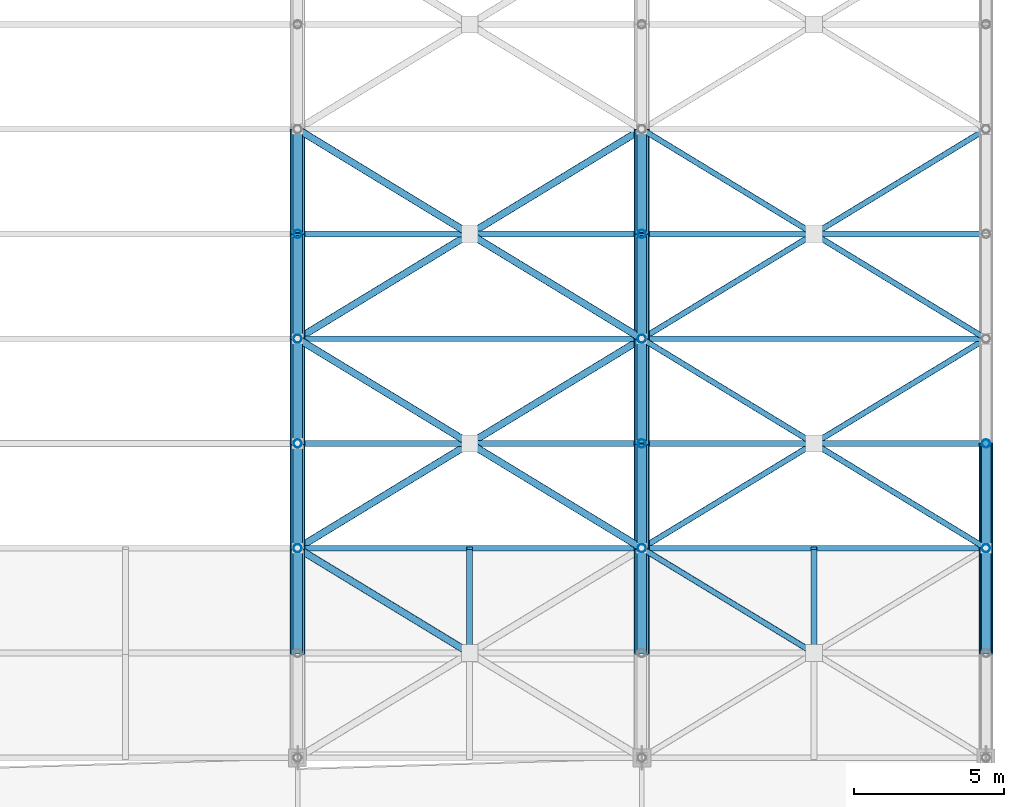
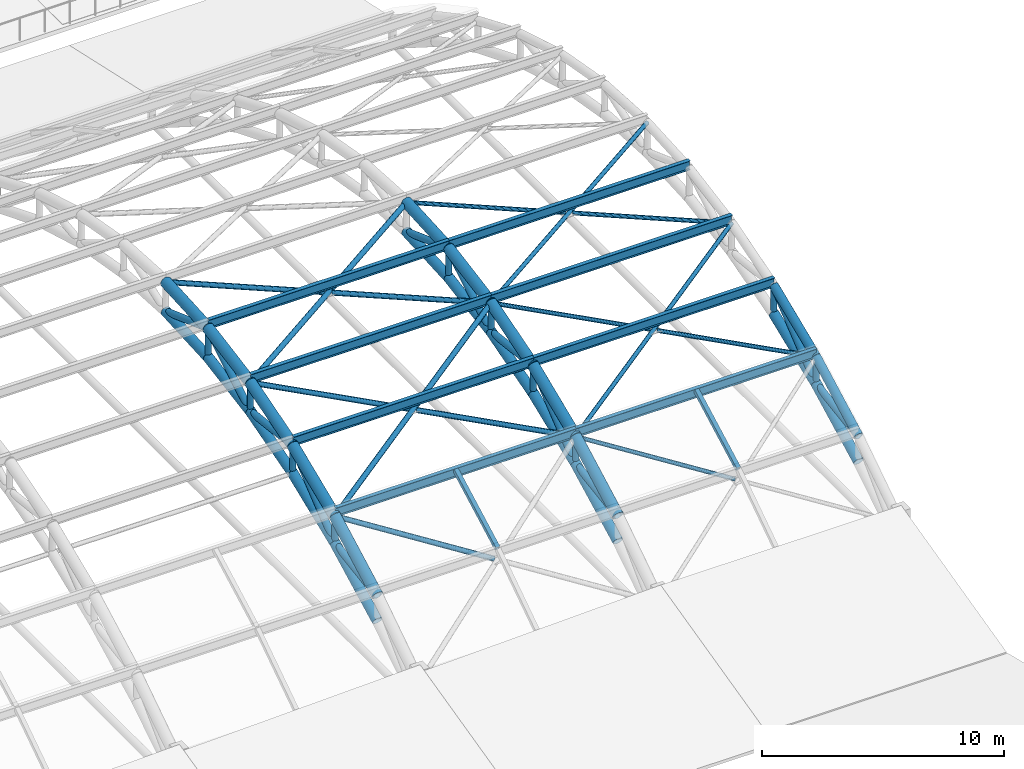
# One storey, part 103 of 154: 70 members.
"""IFC4 building model written with IfcOpenShell, lengths in metres."""

from ifc_helpers import new_model, si_unit, direction, frame, origin, origin_2d, place, context, subcontext, project, spatial, hollow_rectangle, hollow_circle, i_section, extrude, material, material_profile, profile_set, type_object, element, save


model = new_model("IFC4")

# Units and contexts
model_context = context("Model", 3, precision=1e-05, world=origin(), true_north=direction((0.0, 1.0)))
body_context = subcontext(model_context, "Body", "Model", "MODEL_VIEW")
ifc_project = project(units=[si_unit("LENGTHUNIT", "METRE"), si_unit("AREAUNIT", "SQUARE_METRE"), si_unit("VOLUMEUNIT", "CUBIC_METRE"), si_unit("PLANEANGLEUNIT", "RADIAN"), si_unit("MASSUNIT", "GRAM", prefix="KILO")], contexts=[model_context])

# Site, building, storey
site_placement = place(None, origin())
site = spatial("IfcSite", under=ifc_project, at=site_placement, CompositionType="ELEMENT")
building_placement = place(site_placement, origin())
building = spatial("IfcBuilding", under=site, at=building_placement, Name="Ologun Quay Terminus", CompositionType="ELEMENT")
storey_placement = place(building_placement, frame((0.0, 0.0, 13.800048828125)))
storey = spatial("IfcBuildingStorey", under=building, at=storey_placement, Name="L03", CompositionType="ELEMENT", Elevation=13.800048828125)

# Members
ifc_material_1 = material(Name="Steel S355", Category="steel")
ifc_material_profile_1 = material_profile(ifc_material_1, hollow_circle(Radius=0.136474609375, WallThickness=0.010009765625, at=origin_2d()), Name="CHS 273x10")
ifc_profile_set_1 = profile_set([ifc_material_profile_1], Name="Steel S355")
member_type_1 = type_object("IfcMemberType", Name="Arch Truss Vertical Post CHS273", PredefinedType="STRUT", material=ifc_profile_set_1)
member_1_placement = place(storey_placement, frame((161.0, 43.0, 4.022216796875), z_axis=(0.0, 0.0, 1.0), x_axis=(1.0, 0.0, 0.0)))
element("IfcMember", 1, at=member_1_placement, inside=storey, type_object=member_type_1, Name="AW2 Arch Web Post 15-N2", PredefinedType="STRUT", context=body_context, shape_type="SweptSolid", body=[
    extrude(hollow_circle(Radius=0.136474609375, WallThickness=0.010009765625, at=origin_2d()), origin(), (0.0, 0.0, 1.0), 1.35546875),
])
member_2_placement = place(storey_placement, frame((161.0, 46.5, 5.429931640625), z_axis=(0.0, 0.0, 1.0), x_axis=(1.0, 0.0, 0.0)))
element("IfcMember", 2, at=member_2_placement, inside=storey, type_object=member_type_1, Name="AW2 Arch Web Post 15-N3", PredefinedType="STRUT", context=body_context, shape_type="SweptSolid", body=[
    extrude(hollow_circle(Radius=0.136474609375, WallThickness=0.010009765625, at=origin_2d()), origin(), (0.0, 0.0, 1.0), 1.409912109375),
])
member_3_placement = place(storey_placement, frame((161.0, 50.0, 6.435546875), z_axis=(0.0, 0.0, 1.0), x_axis=(1.0, 0.0, 0.0)))
element("IfcMember", 3, at=member_3_placement, inside=storey, type_object=member_type_1, Name="AW2 Arch Web Post 15-N4", PredefinedType="STRUT", context=body_context, shape_type="SweptSolid", body=[
    extrude(hollow_circle(Radius=0.136474609375, WallThickness=0.010009765625, at=origin_2d()), origin(), (0.0, 0.0, 1.0), 1.44873046875),
])
member_4_placement = place(storey_placement, frame((161.0, 53.5, 7.038818359375), z_axis=(0.0, 0.0, 1.0), x_axis=(1.0, 0.0, 0.0)))
element("IfcMember", 4, at=member_4_placement, inside=storey, type_object=member_type_1, Name="AW2 Arch Web Post 15-N5", PredefinedType="STRUT", context=body_context, shape_type="SweptSolid", body=[
    extrude(hollow_circle(Radius=0.136474609375, WallThickness=0.010009765625, at=origin_2d()), origin(), (0.0, 0.0, 1.0), 1.47216796875),
])
member_5_placement = place(storey_placement, frame((172.5, 43.0, 4.022216796875), z_axis=(0.0, 0.0, 1.0), x_axis=(1.0, 0.0, 0.0)))
element("IfcMember", 5, at=member_5_placement, inside=storey, type_object=member_type_1, Name="AW2 Arch Web Post 16-N2", PredefinedType="STRUT", context=body_context, shape_type="SweptSolid", body=[
    extrude(hollow_circle(Radius=0.136474609375, WallThickness=0.010009765625, at=origin_2d()), origin(), (0.0, 0.0, 1.0), 1.35546875),
])
member_6_placement = place(storey_placement, frame((172.5, 46.5, 5.429931640625), z_axis=(0.0, 0.0, 1.0), x_axis=(1.0, 0.0, 0.0)))
element("IfcMember", 6, at=member_6_placement, inside=storey, type_object=member_type_1, Name="AW2 Arch Web Post 16-N3", PredefinedType="STRUT", context=body_context, shape_type="SweptSolid", body=[
    extrude(hollow_circle(Radius=0.136474609375, WallThickness=0.010009765625, at=origin_2d()), origin(), (0.0, 0.0, 1.0), 1.409912109375),
])
member_7_placement = place(storey_placement, frame((172.5, 50.0, 6.435546875), z_axis=(0.0, 0.0, 1.0), x_axis=(1.0, 0.0, 0.0)))
element("IfcMember", 7, at=member_7_placement, inside=storey, type_object=member_type_1, Name="AW2 Arch Web Post 16-N4", PredefinedType="STRUT", context=body_context, shape_type="SweptSolid", body=[
    extrude(hollow_circle(Radius=0.136474609375, WallThickness=0.010009765625, at=origin_2d()), origin(), (0.0, 0.0, 1.0), 1.44873046875),
])
member_8_placement = place(storey_placement, frame((172.5, 53.5, 7.038818359375), z_axis=(0.0, 0.0, 1.0), x_axis=(1.0, 0.0, 0.0)))
element("IfcMember", 8, at=member_8_placement, inside=storey, type_object=member_type_1, Name="AW2 Arch Web Post 16-N5", PredefinedType="STRUT", context=body_context, shape_type="SweptSolid", body=[
    extrude(hollow_circle(Radius=0.136474609375, WallThickness=0.010009765625, at=origin_2d()), origin(), (0.0, 0.0, 1.0), 1.47216796875),
])
member_9_placement = place(storey_placement, frame((184.0, 43.0, 4.022216796875), z_axis=(0.0, 0.0, 1.0), x_axis=(1.0, 0.0, 0.0)))
element("IfcMember", 9, at=member_9_placement, inside=storey, type_object=member_type_1, Name="AW2 Arch Web Post 17-N2", PredefinedType="STRUT", context=body_context, shape_type="SweptSolid", body=[
    extrude(hollow_circle(Radius=0.136474609375, WallThickness=0.010009765625, at=origin_2d()), origin(), (0.0, 0.0, 1.0), 1.35546875),
])
member_10_placement = place(storey_placement, frame((184.0, 46.5, 5.429931640625), z_axis=(0.0, 0.0, 1.0), x_axis=(1.0, 0.0, 0.0)))
element("IfcMember", 10, at=member_10_placement, inside=storey, type_object=member_type_1, Name="AW2 Arch Web Post 17-N3", PredefinedType="STRUT", context=body_context, shape_type="SweptSolid", body=[
    extrude(hollow_circle(Radius=0.136474609375, WallThickness=0.010009765625, at=origin_2d()), origin(), (0.0, 0.0, 1.0), 1.409912109375),
])
ifc_material_2 = material(Name="Steel S355", Category="steel")
ifc_material_profile_2 = material_profile(ifc_material_2, hollow_circle(Radius=0.161865234375, WallThickness=0.010009765625, at=origin_2d()), Name="CHS 323.9x10")
ifc_profile_set_2 = profile_set([ifc_material_profile_2], Name="Steel S355")
member_type_2 = type_object("IfcMemberType", Name="Arch Truss Web Diagonal CHS323", PredefinedType="BRACE", material=ifc_profile_set_2)
member_11_placement = place(storey_placement, frame((161.0, 39.5, 3.497802734375), z_axis=(0.0, 0.988960627525, 0.148178531524), x_axis=(-1.0, 0.0, 0.0)))
element("IfcMember", 11, at=member_11_placement, inside=storey, type_object=member_type_2, Name="AW1 Arch Web Diagonal 15-P2", PredefinedType="BRACE", context=body_context, shape_type="SweptSolid", body=[
    extrude(hollow_circle(Radius=0.161865234375, WallThickness=0.010009765625, at=origin_2d()), origin(), (0.0, 0.0, 1.0), 3.5390625),
])
member_12_placement = place(storey_placement, frame((161.0, 43.0, 4.022216796875), z_axis=(0.0, 0.77895148125, 0.627084196785), x_axis=(-1.0, 0.0, 0.0)))
element("IfcMember", 12, at=member_12_placement, inside=storey, type_object=member_type_2, Name="AW1 Arch Web Diagonal 15-P3", PredefinedType="BRACE", context=body_context, shape_type="SweptSolid", body=[
    extrude(hollow_circle(Radius=0.161865234375, WallThickness=0.010009765625, at=origin_2d()), origin(), (0.0, 0.0, 1.0), 4.4931640625),
])
member_13_placement = place(storey_placement, frame((161.0, 46.5, 6.83984375), z_axis=(0.0, 0.993394361, -0.114750353084), x_axis=(-1.0, 0.0, 0.0)))
element("IfcMember", 13, at=member_13_placement, inside=storey, type_object=member_type_2, Name="AW1 Arch Web Diagonal 15-P4", PredefinedType="BRACE", context=body_context, shape_type="SweptSolid", body=[
    extrude(hollow_circle(Radius=0.161865234375, WallThickness=0.010009765625, at=origin_2d()), origin(), (0.0, 0.0, 1.0), 3.523193359375),
])
member_14_placement = place(storey_placement, frame((161.0, 50.0, 6.435546875), z_axis=(0.0, 0.860144332958, 0.510050709715), x_axis=(-1.0, 0.0, 0.0)))
element("IfcMember", 14, at=member_14_placement, inside=storey, type_object=member_type_2, Name="AW1 Arch Web Diagonal 15-P5", PredefinedType="BRACE", context=body_context, shape_type="SweptSolid", body=[
    extrude(hollow_circle(Radius=0.161865234375, WallThickness=0.010009765625, at=origin_2d()), origin(), (0.0, 0.0, 1.0), 4.069091796875),
])
member_15_placement = place(storey_placement, frame((161.0, 53.5, 8.510986328125), z_axis=(0.0, 0.939942650142, -0.34133241048), x_axis=(-1.0, 0.0, 0.0)))
element("IfcMember", 15, at=member_15_placement, inside=storey, type_object=member_type_2, Name="AW1 Arch Web Diagonal 15-P6", PredefinedType="BRACE", context=body_context, shape_type="SweptSolid", body=[
    extrude(hollow_circle(Radius=0.161865234375, WallThickness=0.010009765625, at=origin_2d()), origin(), (0.0, 0.0, 1.0), 3.7236328125),
])
member_16_placement = place(storey_placement, frame((172.5, 39.5, 3.497802734375), z_axis=(0.0, 0.988960627525, 0.148178531524), x_axis=(-1.0, 0.0, 0.0)))
element("IfcMember", 16, at=member_16_placement, inside=storey, type_object=member_type_2, Name="AW1 Arch Web Diagonal 16-P2", PredefinedType="BRACE", context=body_context, shape_type="SweptSolid", body=[
    extrude(hollow_circle(Radius=0.161865234375, WallThickness=0.010009765625, at=origin_2d()), origin(), (0.0, 0.0, 1.0), 3.5390625),
])
member_17_placement = place(storey_placement, frame((172.5, 43.0, 4.022216796875), z_axis=(0.0, 0.77895148125, 0.627084196785), x_axis=(-1.0, 0.0, 0.0)))
element("IfcMember", 17, at=member_17_placement, inside=storey, type_object=member_type_2, Name="AW1 Arch Web Diagonal 16-P3", PredefinedType="BRACE", context=body_context, shape_type="SweptSolid", body=[
    extrude(hollow_circle(Radius=0.161865234375, WallThickness=0.010009765625, at=origin_2d()), origin(), (0.0, 0.0, 1.0), 4.4931640625),
])
member_18_placement = place(storey_placement, frame((172.5, 46.5, 6.83984375), z_axis=(0.0, 0.993394361, -0.114750353084), x_axis=(-1.0, 0.0, 0.0)))
element("IfcMember", 18, at=member_18_placement, inside=storey, type_object=member_type_2, Name="AW1 Arch Web Diagonal 16-P4", PredefinedType="BRACE", context=body_context, shape_type="SweptSolid", body=[
    extrude(hollow_circle(Radius=0.161865234375, WallThickness=0.010009765625, at=origin_2d()), origin(), (0.0, 0.0, 1.0), 3.523193359375),
])
member_19_placement = place(storey_placement, frame((172.5, 50.0, 6.435546875), z_axis=(0.0, 0.860144332958, 0.510050709715), x_axis=(-1.0, 0.0, 0.0)))
element("IfcMember", 19, at=member_19_placement, inside=storey, type_object=member_type_2, Name="AW1 Arch Web Diagonal 16-P5", PredefinedType="BRACE", context=body_context, shape_type="SweptSolid", body=[
    extrude(hollow_circle(Radius=0.161865234375, WallThickness=0.010009765625, at=origin_2d()), origin(), (0.0, 0.0, 1.0), 4.069091796875),
])
member_20_placement = place(storey_placement, frame((172.5, 53.5, 8.510986328125), z_axis=(0.0, 0.939942650142, -0.34133241048), x_axis=(-1.0, 0.0, 0.0)))
element("IfcMember", 20, at=member_20_placement, inside=storey, type_object=member_type_2, Name="AW1 Arch Web Diagonal 16-P6", PredefinedType="BRACE", context=body_context, shape_type="SweptSolid", body=[
    extrude(hollow_circle(Radius=0.161865234375, WallThickness=0.010009765625, at=origin_2d()), origin(), (0.0, 0.0, 1.0), 3.7236328125),
])
member_21_placement = place(storey_placement, frame((184.0, 39.5, 3.497802734375), z_axis=(0.0, 0.988960627525, 0.148178531524), x_axis=(-1.0, 0.0, 0.0)))
element("IfcMember", 21, at=member_21_placement, inside=storey, type_object=member_type_2, Name="AW1 Arch Web Diagonal 17-P2", PredefinedType="BRACE", context=body_context, shape_type="SweptSolid", body=[
    extrude(hollow_circle(Radius=0.161865234375, WallThickness=0.010009765625, at=origin_2d()), origin(), (0.0, 0.0, 1.0), 3.5390625),
])
member_22_placement = place(storey_placement, frame((184.0, 43.0, 4.022216796875), z_axis=(0.0, 0.77895148125, 0.627084196785), x_axis=(-1.0, 0.0, 0.0)))
element("IfcMember", 22, at=member_22_placement, inside=storey, type_object=member_type_2, Name="AW1 Arch Web Diagonal 17-P3", PredefinedType="BRACE", context=body_context, shape_type="SweptSolid", body=[
    extrude(hollow_circle(Radius=0.161865234375, WallThickness=0.010009765625, at=origin_2d()), origin(), (0.0, 0.0, 1.0), 4.4931640625),
])
ifc_material_3 = material(Name="Steel S355", Category="steel")
ifc_material_profile_3 = material_profile(ifc_material_3, hollow_circle(Radius=0.203125, WallThickness=0.012451171875, at=origin_2d()), Name="CHS 406.4x12.5")
ifc_profile_set_3 = profile_set([ifc_material_profile_3], Name="Steel S355")
member_type_3 = type_object("IfcMemberType", Name="Gable End Arch Chord CHS406", PredefinedType="CHORD", material=ifc_profile_set_3)
member_23_placement = place(storey_placement, frame((184.0, 39.5, 3.497802734375), z_axis=(0.0, 0.880967864924, 0.473176099324), x_axis=(-1.0, 0.0, 0.0)))
element("IfcMember", 23, at=member_23_placement, inside=storey, type_object=member_type_3, Name="Arch Top Chord 17-P2", PredefinedType="CHORD", context=body_context, shape_type="SweptSolid", body=[
    extrude(hollow_circle(Radius=0.203125, WallThickness=0.012451171875, at=origin_2d()), origin(), (0.0, 0.0, 1.0), 3.972900390625),
])
member_24_placement = place(storey_placement, frame((184.0, 43.0, 5.377685546875), z_axis=(0.0, 0.922718523726, 0.385474416755), x_axis=(-1.0, 0.0, 0.0)))
element("IfcMember", 24, at=member_24_placement, inside=storey, type_object=member_type_3, Name="Arch Top Chord 17-P3", PredefinedType="CHORD", context=body_context, shape_type="SweptSolid", body=[
    extrude(hollow_circle(Radius=0.203125, WallThickness=0.012451171875, at=origin_2d()), origin(), (0.0, 0.0, 1.0), 3.793212890625),
])
ifc_material_4 = material(Name="Steel S355", Category="steel")
ifc_material_profile_4 = material_profile(ifc_material_4, hollow_circle(Radius=0.096923828125, WallThickness=0.00634765625, at=origin_2d()), Name="CHS 193.7x6.3")
ifc_profile_set_4 = profile_set([ifc_material_profile_4], Name="Steel S355")
member_type_4 = type_object("IfcMemberType", Name="Gable Portal Wind Brace CHS193", PredefinedType="BRACE", material=ifc_profile_set_4)
member_25_placement = place(storey_placement, frame((172.5, 43.0, 5.377685546875), z_axis=(0.815823185614, -0.496583416265, -0.29637381886), x_axis=(0.51994342513, 0.854200699288, 0.0)))
element("IfcMember", 25, at=member_25_placement, inside=storey, type_object=member_type_4, Name="Roof Wind Brace B1 B16-K0", PredefinedType="BRACE", context=body_context, shape_type="SweptSolid", body=[
    extrude(hollow_circle(Radius=0.096923828125, WallThickness=0.00634765625, at=origin_2d()), origin(), (0.0, 0.0, 1.0), 6.907958984375),
])
member_26_placement = place(storey_placement, frame((172.5, 43.0, 5.377685546875), z_axis=(0.83976735311, 0.511162736676, 0.18303947466), x_axis=(-0.519946946896, 0.854198555614, 0.0)))
element("IfcMember", 26, at=member_26_placement, inside=storey, type_object=member_type_4, Name="Roof Wind Brace A B16-K2", PredefinedType="BRACE", context=body_context, shape_type="SweptSolid", body=[
    extrude(hollow_circle(Radius=0.096923828125, WallThickness=0.00634765625, at=origin_2d()), origin(), (0.0, 0.0, 1.0), 13.6943359375),
])
for number, where, z_axis, x_axis, name in (
    (27, (172.5, 50.0, 7.88427734375), (0.839763706767, -0.511174760907, -0.183022623217), (0.519957518446, 0.854192120668, 0.0), "Roof Wind Brace B1 B16-K2"),
    (28, (178.36767578125, 46.428466796875, 6.60546875), (0.839758111636, -0.51117135508, -0.183057804223), (0.519957518446, 0.854192120668, 0.0), "Roof Wind Brace B2 B16-K2"),
):
    element("IfcMember", number, at=place(storey_placement, frame(where, z_axis=z_axis, x_axis=x_axis)), inside=storey, type_object=member_type_4, Name=name, PredefinedType="BRACE", context=body_context, shape_type="SweptSolid", body=[
        extrude(hollow_circle(Radius=0.096923828125, WallThickness=0.00634765625, at=origin_2d()), origin(), (0.0, 0.0, 1.0), 6.70703125),
    ])
member_27_placement = place(storey_placement, frame((172.5, 50.0, 7.88427734375), z_axis=(0.852557618704, 0.518948115733, 0.061954499168), x_axis=(-0.519946946896, 0.854198555614, 0.0)))
element("IfcMember", 29, at=member_27_placement, inside=storey, type_object=member_type_4, Name="Roof Wind Brace A B16-K4", PredefinedType="BRACE", context=body_context, shape_type="SweptSolid", body=[
    extrude(hollow_circle(Radius=0.096923828125, WallThickness=0.00634765625, at=origin_2d()), origin(), (0.0, 0.0, 1.0), 13.48876953125),
])
for number, where, z_axis, x_axis, name in (
    (30, (172.5, 57.0, 8.719970703125), (0.852563238847, -0.518938678703, -0.061956206405), (0.51993754691, 0.854204277274, 0.0), "Roof Wind Brace B1 B16-K4"),
    (31, (178.369384765625, 53.42724609375, 8.29345703125), (0.852563238847, -0.518938678703, -0.061956206405), (0.51993754691, 0.854204277274, 0.0), "Roof Wind Brace B2 B16-K4"),
):
    element("IfcMember", number, at=place(storey_placement, frame(where, z_axis=z_axis, x_axis=x_axis)), inside=storey, type_object=member_type_4, Name=name, PredefinedType="BRACE", context=body_context, shape_type="SweptSolid", body=[
        extrude(hollow_circle(Radius=0.096923828125, WallThickness=0.00634765625, at=origin_2d()), origin(), (0.0, 0.0, 1.0), 6.604248046875),
    ])
ifc_material_5 = material(Name="Steel S355", Category="steel")
ifc_material_profile_5 = material_profile(ifc_material_5, hollow_circle(Radius=0.228515625, WallThickness=0.01611328125, at=origin_2d()), Name="CHS 457x16")
ifc_profile_set_5 = profile_set([ifc_material_profile_5], Name="Steel S355")
member_type_5 = type_object("IfcMemberType", Name="Parabolic Arch Bottom Chord CHS457", PredefinedType="CHORD", material=ifc_profile_set_5)
member_28_placement = place(storey_placement, frame((161.0, 39.5, 2.212158203125), z_axis=(0.0, 0.888247284083, 0.459365608551), x_axis=(-1.0, 0.0, 0.0)))
element("IfcMember", 32, at=member_28_placement, inside=storey, type_object=member_type_5, Name="AC2 Arch Bottom Chord 15-P2", PredefinedType="CHORD", context=body_context, shape_type="SweptSolid", body=[
    extrude(hollow_circle(Radius=0.228515625, WallThickness=0.01611328125, at=origin_2d()), origin(), (0.0, 0.0, 1.0), 3.9404296875),
])
member_29_placement = place(storey_placement, frame((161.0, 43.0, 4.022216796875), z_axis=(0.0, 0.92776983497, 0.373152962363), x_axis=(-1.0, 0.0, 0.0)))
element("IfcMember", 33, at=member_29_placement, inside=storey, type_object=member_type_5, Name="AC2 Arch Bottom Chord 15-P3", PredefinedType="CHORD", context=body_context, shape_type="SweptSolid", body=[
    extrude(hollow_circle(Radius=0.228515625, WallThickness=0.01611328125, at=origin_2d()), origin(), (0.0, 0.0, 1.0), 3.7724609375),
])
member_30_placement = place(storey_placement, frame((161.0, 46.5, 5.429931640625), z_axis=(0.0, 0.961115578425, 0.276146419331), x_axis=(-1.0, 0.0, 0.0)))
element("IfcMember", 34, at=member_30_placement, inside=storey, type_object=member_type_5, Name="AC2 Arch Bottom Chord 15-P4", PredefinedType="CHORD", context=body_context, shape_type="SweptSolid", body=[
    extrude(hollow_circle(Radius=0.228515625, WallThickness=0.01611328125, at=origin_2d()), origin(), (0.0, 0.0, 1.0), 3.6416015625),
])
member_31_placement = place(storey_placement, frame((161.0, 50.0, 6.435546875), z_axis=(0.0, 0.985468449185, 0.16985857547), x_axis=(-1.0, 0.0, 0.0)))
element("IfcMember", 35, at=member_31_placement, inside=storey, type_object=member_type_5, Name="AC2 Arch Bottom Chord 15-P5", PredefinedType="CHORD", context=body_context, shape_type="SweptSolid", body=[
    extrude(hollow_circle(Radius=0.228515625, WallThickness=0.01611328125, at=origin_2d()), origin(), (0.0, 0.0, 1.0), 3.551513671875),
])
member_32_placement = place(storey_placement, frame((161.0, 53.5, 7.038818359375), z_axis=(0.0, 0.998352239869, 0.057382969144), x_axis=(-1.0, 0.0, 0.0)))
element("IfcMember", 36, at=member_32_placement, inside=storey, type_object=member_type_5, Name="AC2 Arch Bottom Chord 15-P6", PredefinedType="CHORD", context=body_context, shape_type="SweptSolid", body=[
    extrude(hollow_circle(Radius=0.228515625, WallThickness=0.01611328125, at=origin_2d()), origin(), (0.0, 0.0, 1.0), 3.505859375),
])
member_33_placement = place(storey_placement, frame((172.5, 39.5, 2.212158203125), z_axis=(0.0, 0.888247284083, 0.459365608551), x_axis=(-1.0, 0.0, 0.0)))
element("IfcMember", 37, at=member_33_placement, inside=storey, type_object=member_type_5, Name="AC2 Arch Bottom Chord 16-P2", PredefinedType="CHORD", context=body_context, shape_type="SweptSolid", body=[
    extrude(hollow_circle(Radius=0.228515625, WallThickness=0.01611328125, at=origin_2d()), origin(), (0.0, 0.0, 1.0), 3.9404296875),
])
member_34_placement = place(storey_placement, frame((172.5, 43.0, 4.022216796875), z_axis=(0.0, 0.92776983497, 0.373152962363), x_axis=(-1.0, 0.0, 0.0)))
element("IfcMember", 38, at=member_34_placement, inside=storey, type_object=member_type_5, Name="AC2 Arch Bottom Chord 16-P3", PredefinedType="CHORD", context=body_context, shape_type="SweptSolid", body=[
    extrude(hollow_circle(Radius=0.228515625, WallThickness=0.01611328125, at=origin_2d()), origin(), (0.0, 0.0, 1.0), 3.7724609375),
])
member_35_placement = place(storey_placement, frame((172.5, 46.5, 5.429931640625), z_axis=(0.0, 0.961115578425, 0.276146419331), x_axis=(-1.0, 0.0, 0.0)))
element("IfcMember", 39, at=member_35_placement, inside=storey, type_object=member_type_5, Name="AC2 Arch Bottom Chord 16-P4", PredefinedType="CHORD", context=body_context, shape_type="SweptSolid", body=[
    extrude(hollow_circle(Radius=0.228515625, WallThickness=0.01611328125, at=origin_2d()), origin(), (0.0, 0.0, 1.0), 3.6416015625),
])
member_36_placement = place(storey_placement, frame((172.5, 50.0, 6.435546875), z_axis=(0.0, 0.985468449185, 0.16985857547), x_axis=(-1.0, 0.0, 0.0)))
element("IfcMember", 40, at=member_36_placement, inside=storey, type_object=member_type_5, Name="AC2 Arch Bottom Chord 16-P5", PredefinedType="CHORD", context=body_context, shape_type="SweptSolid", body=[
    extrude(hollow_circle(Radius=0.228515625, WallThickness=0.01611328125, at=origin_2d()), origin(), (0.0, 0.0, 1.0), 3.551513671875),
])
member_37_placement = place(storey_placement, frame((172.5, 53.5, 7.038818359375), z_axis=(0.0, 0.998352239869, 0.057382969144), x_axis=(-1.0, 0.0, 0.0)))
element("IfcMember", 41, at=member_37_placement, inside=storey, type_object=member_type_5, Name="AC2 Arch Bottom Chord 16-P6", PredefinedType="CHORD", context=body_context, shape_type="SweptSolid", body=[
    extrude(hollow_circle(Radius=0.228515625, WallThickness=0.01611328125, at=origin_2d()), origin(), (0.0, 0.0, 1.0), 3.505859375),
])
member_38_placement = place(storey_placement, frame((184.0, 39.5, 2.212158203125), z_axis=(0.0, 0.888247284083, 0.459365608551), x_axis=(-1.0, 0.0, 0.0)))
element("IfcMember", 42, at=member_38_placement, inside=storey, type_object=member_type_5, Name="AC2 Arch Bottom Chord 17-P2", PredefinedType="CHORD", context=body_context, shape_type="SweptSolid", body=[
    extrude(hollow_circle(Radius=0.228515625, WallThickness=0.01611328125, at=origin_2d()), origin(), (0.0, 0.0, 1.0), 3.9404296875),
])
member_39_placement = place(storey_placement, frame((184.0, 43.0, 4.022216796875), z_axis=(0.0, 0.92776983497, 0.373152962363), x_axis=(-1.0, 0.0, 0.0)))
element("IfcMember", 43, at=member_39_placement, inside=storey, type_object=member_type_5, Name="AC2 Arch Bottom Chord 17-P3", PredefinedType="CHORD", context=body_context, shape_type="SweptSolid", body=[
    extrude(hollow_circle(Radius=0.228515625, WallThickness=0.01611328125, at=origin_2d()), origin(), (0.0, 0.0, 1.0), 3.7724609375),
])
ifc_material_6 = material(Name="Steel S355", Category="steel")
ifc_material_profile_6 = material_profile(ifc_material_6, hollow_circle(Radius=0.25390625, WallThickness=0.01611328125, at=origin_2d()), Name="CHS 508x16")
ifc_profile_set_6 = profile_set([ifc_material_profile_6], Name="Steel S355")
member_type_6 = type_object("IfcMemberType", Name="Parabolic Arch Top Chord CHS508", PredefinedType="CHORD", material=ifc_profile_set_6)
member_40_placement = place(storey_placement, frame((161.0, 39.5, 3.497802734375), z_axis=(0.0, 0.880967864924, 0.473176099324), x_axis=(-1.0, 0.0, 0.0)))
element("IfcMember", 44, at=member_40_placement, inside=storey, type_object=member_type_6, Name="Arch Top Chord 15-P2", PredefinedType="CHORD", context=body_context, shape_type="SweptSolid", body=[
    extrude(hollow_circle(Radius=0.25390625, WallThickness=0.01611328125, at=origin_2d()), origin(), (0.0, 0.0, 1.0), 3.972900390625),
])
member_41_placement = place(storey_placement, frame((161.0, 43.0, 5.377685546875), z_axis=(0.0, 0.922718523726, 0.385474416755), x_axis=(-1.0, 0.0, 0.0)))
element("IfcMember", 45, at=member_41_placement, inside=storey, type_object=member_type_6, Name="Arch Top Chord 15-P3", PredefinedType="CHORD", context=body_context, shape_type="SweptSolid", body=[
    extrude(hollow_circle(Radius=0.25390625, WallThickness=0.01611328125, at=origin_2d()), origin(), (0.0, 0.0, 1.0), 3.793212890625),
])
member_42_placement = place(storey_placement, frame((161.0, 46.5, 6.83984375), z_axis=(0.0, 0.958244712677, 0.285949419701), x_axis=(-1.0, 0.0, 0.0)))
element("IfcMember", 46, at=member_42_placement, inside=storey, type_object=member_type_6, Name="Arch Top Chord 15-P4", PredefinedType="CHORD", context=body_context, shape_type="SweptSolid", body=[
    extrude(hollow_circle(Radius=0.25390625, WallThickness=0.01611328125, at=origin_2d()), origin(), (0.0, 0.0, 1.0), 3.652587890625),
])
member_43_placement = place(storey_placement, frame((161.0, 50.0, 7.88427734375), z_axis=(0.0, 0.984344289591, 0.176256402859), x_axis=(-1.0, 0.0, 0.0)))
element("IfcMember", 47, at=member_43_placement, inside=storey, type_object=member_type_6, Name="Arch Top Chord 15-P5", PredefinedType="CHORD", context=body_context, shape_type="SweptSolid", body=[
    extrude(hollow_circle(Radius=0.25390625, WallThickness=0.01611328125, at=origin_2d()), origin(), (0.0, 0.0, 1.0), 3.5556640625),
])
member_44_placement = place(storey_placement, frame((161.0, 53.5, 8.510986328125), z_axis=(0.0, 0.998222121157, 0.0596036646), x_axis=(-1.0, 0.0, 0.0)))
element("IfcMember", 48, at=member_44_placement, inside=storey, type_object=member_type_6, Name="Arch Top Chord 15-P6", PredefinedType="CHORD", context=body_context, shape_type="SweptSolid", body=[
    extrude(hollow_circle(Radius=0.25390625, WallThickness=0.01611328125, at=origin_2d()), origin(), (0.0, 0.0, 1.0), 3.50634765625),
])
member_45_placement = place(storey_placement, frame((172.5, 39.5, 3.497802734375), z_axis=(0.0, 0.880967864924, 0.473176099324), x_axis=(-1.0, 0.0, 0.0)))
element("IfcMember", 49, at=member_45_placement, inside=storey, type_object=member_type_6, Name="Arch Top Chord 16-P2", PredefinedType="CHORD", context=body_context, shape_type="SweptSolid", body=[
    extrude(hollow_circle(Radius=0.25390625, WallThickness=0.01611328125, at=origin_2d()), origin(), (0.0, 0.0, 1.0), 3.972900390625),
])
member_46_placement = place(storey_placement, frame((172.5, 43.0, 5.377685546875), z_axis=(0.0, 0.922718523726, 0.385474416755), x_axis=(-1.0, 0.0, 0.0)))
element("IfcMember", 50, at=member_46_placement, inside=storey, type_object=member_type_6, Name="Arch Top Chord 16-P3", PredefinedType="CHORD", context=body_context, shape_type="SweptSolid", body=[
    extrude(hollow_circle(Radius=0.25390625, WallThickness=0.01611328125, at=origin_2d()), origin(), (0.0, 0.0, 1.0), 3.793212890625),
])
member_47_placement = place(storey_placement, frame((172.5, 46.5, 6.83984375), z_axis=(0.0, 0.958244712677, 0.285949419701), x_axis=(-1.0, 0.0, 0.0)))
element("IfcMember", 51, at=member_47_placement, inside=storey, type_object=member_type_6, Name="Arch Top Chord 16-P4", PredefinedType="CHORD", context=body_context, shape_type="SweptSolid", body=[
    extrude(hollow_circle(Radius=0.25390625, WallThickness=0.01611328125, at=origin_2d()), origin(), (0.0, 0.0, 1.0), 3.652587890625),
])
member_48_placement = place(storey_placement, frame((172.5, 50.0, 7.88427734375), z_axis=(0.0, 0.984344289591, 0.176256402859), x_axis=(-1.0, 0.0, 0.0)))
element("IfcMember", 52, at=member_48_placement, inside=storey, type_object=member_type_6, Name="Arch Top Chord 16-P5", PredefinedType="CHORD", context=body_context, shape_type="SweptSolid", body=[
    extrude(hollow_circle(Radius=0.25390625, WallThickness=0.01611328125, at=origin_2d()), origin(), (0.0, 0.0, 1.0), 3.5556640625),
])
member_49_placement = place(storey_placement, frame((172.5, 53.5, 8.510986328125), z_axis=(0.0, 0.998222121157, 0.0596036646), x_axis=(-1.0, 0.0, 0.0)))
element("IfcMember", 53, at=member_49_placement, inside=storey, type_object=member_type_6, Name="Arch Top Chord 16-P6", PredefinedType="CHORD", context=body_context, shape_type="SweptSolid", body=[
    extrude(hollow_circle(Radius=0.25390625, WallThickness=0.01611328125, at=origin_2d()), origin(), (0.0, 0.0, 1.0), 3.50634765625),
])
ifc_material_7 = material(Name="Steel S355", Category="steel")
ifc_material_profile_7 = material_profile(ifc_material_7, hollow_circle(Radius=0.122314453125, WallThickness=0.008056640625, at=origin_2d()), Name="CHS 244.5x8")
ifc_profile_set_7 = profile_set([ifc_material_profile_7], Name="Steel S355")
member_type_7 = type_object("IfcMemberType", Name="Roof Plan Wind Brace Primary CHS244", PredefinedType="BRACE", material=ifc_profile_set_7)
member_50_placement = place(storey_placement, frame((161.0, 43.0, 5.377685546875), z_axis=(0.815823185614, -0.496583416265, -0.29637381886), x_axis=(0.51994342513, 0.854200699288, 0.0)))
element("IfcMember", 54, at=member_50_placement, inside=storey, type_object=member_type_7, Name="Roof Wind Brace B1 B15-K0", PredefinedType="BRACE", context=body_context, shape_type="SweptSolid", body=[
    extrude(hollow_circle(Radius=0.122314453125, WallThickness=0.008056640625, at=origin_2d()), origin(), (0.0, 0.0, 1.0), 6.907958984375),
])
member_51_placement = place(storey_placement, frame((161.0, 43.0, 5.377685546875), z_axis=(0.83976735311, 0.511162736676, 0.18303947466), x_axis=(-0.519946946896, 0.854198555614, 0.0)))
element("IfcMember", 55, at=member_51_placement, inside=storey, type_object=member_type_7, Name="Roof Wind Brace A B15-K2", PredefinedType="BRACE", context=body_context, shape_type="SweptSolid", body=[
    extrude(hollow_circle(Radius=0.122314453125, WallThickness=0.008056640625, at=origin_2d()), origin(), (0.0, 0.0, 1.0), 13.6943359375),
])
for number, where, z_axis, x_axis, name in (
    (56, (161.0, 50.0, 7.88427734375), (0.839763706767, -0.511174760907, -0.183022623217), (0.519957518446, 0.854192120668, 0.0), "Roof Wind Brace B1 B15-K2"),
    (57, (166.86767578125, 46.428466796875, 6.60546875), (0.839758111636, -0.51117135508, -0.183057804223), (0.519957518446, 0.854192120668, 0.0), "Roof Wind Brace B2 B15-K2"),
):
    element("IfcMember", number, at=place(storey_placement, frame(where, z_axis=z_axis, x_axis=x_axis)), inside=storey, type_object=member_type_7, Name=name, PredefinedType="BRACE", context=body_context, shape_type="SweptSolid", body=[
        extrude(hollow_circle(Radius=0.122314453125, WallThickness=0.008056640625, at=origin_2d()), origin(), (0.0, 0.0, 1.0), 6.70703125),
    ])
member_52_placement = place(storey_placement, frame((161.0, 50.0, 7.88427734375), z_axis=(0.852557618704, 0.518948115733, 0.061954499168), x_axis=(-0.519946946896, 0.854198555614, 0.0)))
element("IfcMember", 58, at=member_52_placement, inside=storey, type_object=member_type_7, Name="Roof Wind Brace A B15-K4", PredefinedType="BRACE", context=body_context, shape_type="SweptSolid", body=[
    extrude(hollow_circle(Radius=0.122314453125, WallThickness=0.008056640625, at=origin_2d()), origin(), (0.0, 0.0, 1.0), 13.48876953125),
])
for number, where, z_axis, x_axis, name in (
    (59, (161.0, 57.0, 8.719970703125), (0.852563238847, -0.518938678703, -0.061956206405), (0.51993754691, 0.854204277274, 0.0), "Roof Wind Brace B1 B15-K4"),
    (60, (166.869384765625, 53.42724609375, 8.29345703125), (0.852563238847, -0.518938678703, -0.061956206405), (0.51993754691, 0.854204277274, 0.0), "Roof Wind Brace B2 B15-K4"),
):
    element("IfcMember", number, at=place(storey_placement, frame(where, z_axis=z_axis, x_axis=x_axis)), inside=storey, type_object=member_type_7, Name=name, PredefinedType="BRACE", context=body_context, shape_type="SweptSolid", body=[
        extrude(hollow_circle(Radius=0.122314453125, WallThickness=0.008056640625, at=origin_2d()), origin(), (0.0, 0.0, 1.0), 6.604248046875),
    ])
ifc_material_8 = material(Name="Steel S355", Category="steel")
ifc_material_profile_8 = material_profile(ifc_material_8, hollow_rectangle(XDim=0.199951171875, YDim=0.199951171875, WallThickness=0.008056640625, at=origin_2d()), Name="SHS 200x200x8")
ifc_profile_set_8 = profile_set([ifc_material_profile_8], Name="Steel S355")
member_type_8 = type_object("IfcMemberType", Name="Skylight Cross Transom Bar RHS150", PredefinedType="STRUT", material=ifc_profile_set_8)
for number, where, z_axis, x_axis, name in (
    (61, (166.75, 39.5, 3.851806640625), (0.0, 0.880967864924, 0.473176099324), (-1.0, 0.0, 0.0), "SK2 Eave Secondary Rafter B15-P2"),
    (62, (178.25, 39.5, 3.851806640625), (0.0, 0.880967864924, 0.473176099324), (-1.0, 0.0, 0.0), "SK2 Eave Secondary Rafter B16-P2"),
):
    element("IfcMember", number, at=place(storey_placement, frame(where, z_axis=z_axis, x_axis=x_axis)), inside=storey, type_object=member_type_8, Name=name, PredefinedType="STRUT", context=body_context, shape_type="SweptSolid", body=[
        extrude(hollow_rectangle(XDim=0.199951171875, YDim=0.199951171875, WallThickness=0.008056640625, at=origin_2d()), origin(), (0.0, 0.0, 1.0), 3.972900390625),
    ])
ifc_material_9 = material(Name="Steel S355", Category="steel")
ifc_material_profile_9 = material_profile(ifc_material_9, i_section(OverallWidth=0.1904296875, OverallDepth=0.45703125, WebThickness=0.009033203125, FlangeThickness=0.014404296875, at=origin_2d()), Name="UKB 457x191x74")
ifc_profile_set_9 = profile_set([ifc_material_profile_9], Name="Steel S355")
member_type_9 = type_object("IfcMemberType", Name="Train Shed Primary Roof Purlin UKB457", PredefinedType="PURLIN", material=ifc_profile_set_9)
for number, where, z_axis, x_axis, name in (
    (63, (161.0, 43.0, 5.606201171875), (1.0, 0.0, 0.0), (0.0, 1.0, 0.0), "PR1 Roof Purlin B15-N2"),
    (64, (161.0, 46.5, 7.068359375), (1.0, 0.0, 0.0), (0.0, 1.0, 0.0), "PR1 Roof Purlin B15-N3"),
    (65, (161.0, 50.0, 8.11279296875), (1.0, 0.0, 0.0), (0.0, 1.0, 0.0), "PR1 Roof Purlin B15-N4"),
    (66, (161.0, 53.5, 8.739501953125), (1.0, 0.0, 0.0), (0.0, 1.0, 0.0), "PR1 Roof Purlin B15-N5"),
    (67, (172.5, 43.0, 5.606201171875), (1.0, 0.0, 0.0), (0.0, 1.0, 0.0), "PR1 Roof Purlin B16-N2"),
    (68, (172.5, 46.5, 7.068359375), (1.0, 0.0, 0.0), (0.0, 1.0, 0.0), "PR1 Roof Purlin B16-N3"),
    (69, (172.5, 50.0, 8.11279296875), (1.0, 0.0, 0.0), (0.0, 1.0, 0.0), "PR1 Roof Purlin B16-N4"),
    (70, (172.5, 53.5, 8.739501953125), (1.0, 0.0, 0.0), (0.0, 1.0, 0.0), "PR1 Roof Purlin B16-N5"),
):
    element("IfcMember", number, at=place(storey_placement, frame(where, z_axis=z_axis, x_axis=x_axis)), inside=storey, type_object=member_type_9, Name=name, PredefinedType="PURLIN", context=body_context, shape_type="SweptSolid", body=[
        extrude(i_section(OverallWidth=0.1904296875, OverallDepth=0.45703125, WebThickness=0.009033203125, FlangeThickness=0.014404296875, at=origin_2d()), origin(), (0.0, 0.0, 1.0), 11.5),
    ])

save(model, "model.ifc")
